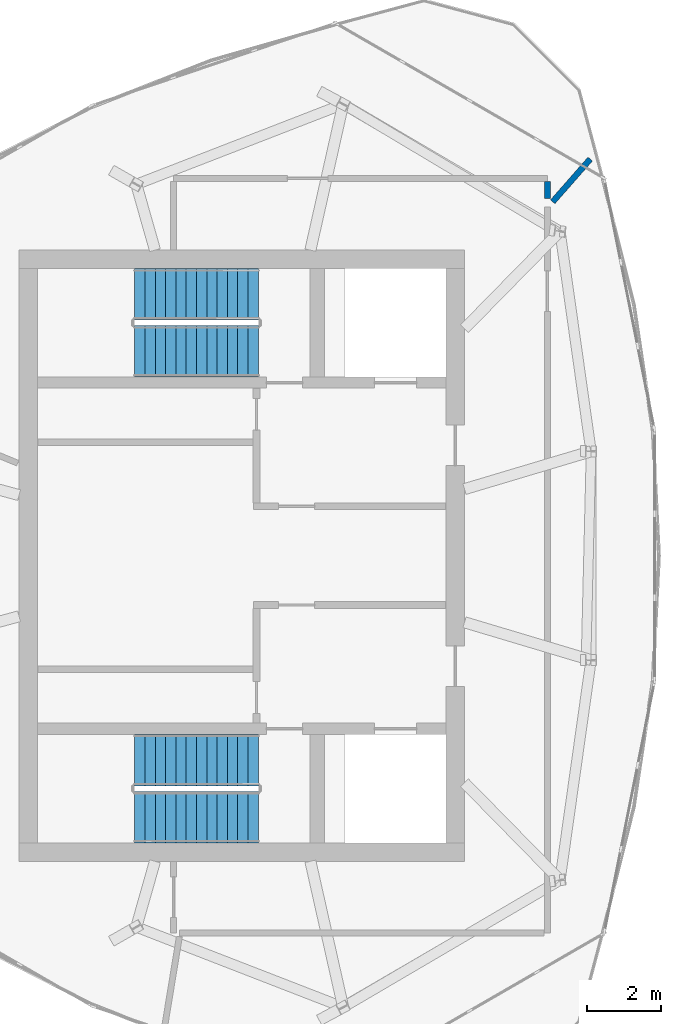
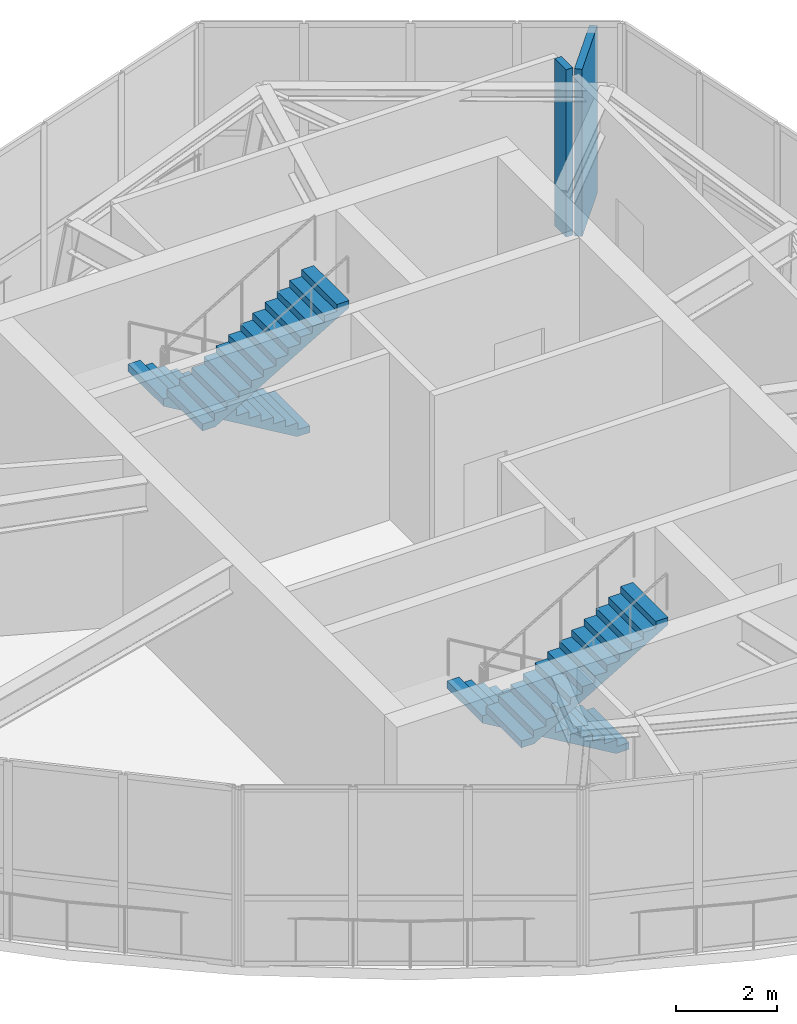
# One storey, part 8 of 10: 4 stair flights, 2 walls, 2 elements without a shape of their own.
"""IFC4 building model written with IfcOpenShell, lengths in metres."""

import ifcopenshell
import ifcopenshell.guid

model = None  # the IFC model being written
_history = None  # IfcOwnerHistory: only IFC2X3 demands one
_inside = {}  # id of a spatial element -> (the spatial element, [elements in it])
_under = {}  # id of a project, library or spatial element -> (it, [spatial elements below it])
_declared = {}  # id of a project -> (the project, [libraries it declares])
_typed = {}  # id of a type object -> (the type object, [elements of that type])
_made_of = {}  # id of a material, layer set ... -> (it, [elements and type objects made of it])


def new_model(schema):
    """Start an empty IFC model of exactly this schema.

    Asked for "IFC4X3", IfcOpenShell would pick the latest addendum, in which some entities
    have other attributes; the version numbers below select the first issue.
    IFC2X3 requires an IfcOwnerHistory on every rooted entity: one is made here for all.
    """
    global model, _history
    if schema == "IFC4X3":
        model = ifcopenshell.file(schema_version=(4, 3, 0, 0))
    else:
        model = ifcopenshell.file(schema=schema)
    _inside.clear()
    _under.clear()
    _declared.clear()
    _typed.clear()
    _made_of.clear()
    _history = None
    if model.schema == "IFC2X3":
        org = make("IfcOrganization", Name="unknown")
        user = make(
            "IfcPersonAndOrganization",
            ThePerson=make("IfcPerson", FamilyName="unknown"),
            TheOrganization=org,
        )
        app = make(
            "IfcApplication",
            ApplicationDeveloper=org,
            Version="unknown",
            ApplicationFullName="unknown",
            ApplicationIdentifier="unknown",
        )
        _history = make(
            "IfcOwnerHistory",
            OwningUser=user,
            OwningApplication=app,
            ChangeAction="ADDED",
            CreationDate=0,
        )
    return model


def make(cls, **values):
    """One entity of the class cls with the attributes given. An attribute that is None is left unset."""
    return model.create_entity(
        cls, **{name: value for name, value in values.items() if value is not None}
    )


def rooted(cls, **values):
    """An entity with a GlobalId (a new one), such as an element, a storey or a relation."""
    return make(cls, GlobalId=ifcopenshell.guid.new(), OwnerHistory=_history, **values)


def si_unit(unit_type, name, prefix=None):
    """IfcSIUnit, for example si_unit("LENGTHUNIT", "METRE", prefix="MILLI")."""
    return make("IfcSIUnit", UnitType=unit_type, Prefix=prefix, Name=name)


def assignment(units):
    """IfcUnitAssignment: the units of a project."""
    return None if units is None else make("IfcUnitAssignment", Units=units)


def point(xyz):
    """IfcCartesianPoint."""
    return None if xyz is None else make("IfcCartesianPoint", Coordinates=xyz)


def direction(xyz):
    """IfcDirection."""
    return None if xyz is None else make("IfcDirection", DirectionRatios=xyz)


def frame(location, z_axis=None, x_axis=None):
    """IfcAxis2Placement3D, a coordinate frame: its origin and axes. An axis left out is left unset."""
    return make(
        "IfcAxis2Placement3D",
        Location=point(location),
        Axis=direction(z_axis),
        RefDirection=direction(x_axis),
    )


def frame_2d(location, x_axis=None):
    """IfcAxis2Placement2D, a coordinate frame in the plane: its origin and x axis."""
    return make(
        "IfcAxis2Placement2D", Location=point(location), RefDirection=direction(x_axis)
    )


def origin():
    """The frame at (0, 0, 0) with its axes left unset."""
    return frame((0.0, 0.0, 0.0))


def place(relative_to, where):
    """IfcLocalPlacement: puts the frame where relative to a parent placement (None: the world)."""
    return make(
        "IfcLocalPlacement", PlacementRelTo=relative_to, RelativePlacement=where
    )


def context(
    kind, dimensions, precision=None, world=None, true_north=None, identifier=None
):
    """IfcGeometricRepresentationContext, for example the 3D "Model" context."""
    return make(
        "IfcGeometricRepresentationContext",
        ContextIdentifier=identifier,
        ContextType=kind,
        CoordinateSpaceDimension=dimensions,
        Precision=precision,
        WorldCoordinateSystem=world,
        TrueNorth=true_north,
    )


def subcontext(parent, identifier, kind, view, scale=None):
    """IfcGeometricRepresentationSubContext, for example "Body" below "Model"."""
    return make(
        "IfcGeometricRepresentationSubContext",
        ContextIdentifier=identifier,
        ContextType=kind,
        ParentContext=parent,
        TargetScale=scale,
        TargetView=view,
    )


def project(units=None, contexts=None):
    """IfcProject with its units and contexts."""
    return rooted(
        "IfcProject",
        Name="project",
        RepresentationContexts=contexts,
        UnitsInContext=assignment(units),
    )


def spatial(cls, under=None, at=None, **own):
    """A site, building, storey or space (cls), placed at a placement, below another one or the project."""
    s = rooted(cls, ObjectPlacement=at, **own)
    if under is not None:
        _under.setdefault(under.id(), (under, []))[1].append(s)
    return s


def polyline(points):
    """IfcPolyline through the points."""
    return make("IfcPolyline", Points=[point(p) for p in points])


def profile(cls, at=None, kind="AREA", **sizes):
    """A parametric profile (cls). Its sizes go by their IFC names, for example OverallWidth=200.0."""
    return make(cls, ProfileType=kind, Position=at, **sizes)


def rectangle(**sizes):
    """IfcRectangleProfileDef."""
    return profile("IfcRectangleProfileDef", **sizes)


def outline(outer, holes=None, kind="AREA"):
    """IfcArbitraryClosedProfileDef: a profile drawn as a closed curve; with holes, ...WithVoids."""
    if holes is None:
        return make("IfcArbitraryClosedProfileDef", ProfileType=kind, OuterCurve=outer)
    return make(
        "IfcArbitraryProfileDefWithVoids",
        ProfileType=kind,
        OuterCurve=outer,
        InnerCurves=holes,
    )


def extrude(swept, where, along, depth):
    """IfcExtrudedAreaSolid: the profile swept, set in the frame where, extruded along a direction by depth."""
    return make(
        "IfcExtrudedAreaSolid",
        SweptArea=swept,
        Position=where,
        ExtrudedDirection=direction(along),
        Depth=depth,
    )


def shape(context_of_items, identifier, shape_type, items):
    """IfcShapeRepresentation: the items that make up one representation, for example the "Body"."""
    return make(
        "IfcShapeRepresentation",
        ContextOfItems=context_of_items,
        RepresentationIdentifier=identifier,
        RepresentationType=shape_type,
        Items=items,
    )


def source(mapping_origin, context_of_items, identifier, shape_type, items):
    """IfcRepresentationMap: a shape defined once, which mapped items show again and again."""
    return make(
        "IfcRepresentationMap",
        MappingOrigin=mapping_origin,
        MappedRepresentation=shape(context_of_items, identifier, shape_type, items),
    )


def transform(
    local_origin,
    x_axis=None,
    y_axis=None,
    z_axis=None,
    scale=None,
    scale2=None,
    scale3=None,
    uniform=True,
):
    """IfcCartesianTransformationOperator3D, or its non-uniform kind. x_axis, y_axis, z_axis: its Axis1, 2, 3."""
    if uniform:
        return make(
            "IfcCartesianTransformationOperator3D",
            Axis1=direction(x_axis),
            Axis2=direction(y_axis),
            LocalOrigin=point(local_origin),
            Scale=scale,
            Axis3=direction(z_axis),
        )
    return make(
        "IfcCartesianTransformationOperator3DnonUniform",
        Axis1=direction(x_axis),
        Axis2=direction(y_axis),
        LocalOrigin=point(local_origin),
        Scale=scale,
        Axis3=direction(z_axis),
        Scale2=scale2,
        Scale3=scale3,
    )


def mapped(mapping_source, mapping_target):
    """IfcMappedItem: shows the shape of a source again, moved by a transform."""
    return make(
        "IfcMappedItem", MappingSource=mapping_source, MappingTarget=mapping_target
    )


def material(Name=None, Category=None):
    """IfcMaterial."""
    return make("IfcMaterial", Name=Name, Category=Category)


def layer(
    of_material, thickness, ventilated=None, Name=None, Category=None, Priority=None
):
    """IfcMaterialLayer: one layer of a wall or slab, of a material (None: an air gap)."""
    return make(
        "IfcMaterialLayer",
        Material=of_material,
        LayerThickness=thickness,
        IsVentilated=ventilated,
        Name=Name,
        Category=Category,
        Priority=Priority,
    )


def layer_set(layers, Name=None):
    """IfcMaterialLayerSet."""
    return make("IfcMaterialLayerSet", MaterialLayers=layers, LayerSetName=Name)


def made_of(thing, what):
    """Note that an element or type object is made of a material, layer set ...; save() writes the relation."""
    if what is not None:
        _made_of.setdefault(what.id(), (what, []))[1].append(thing)
    return thing


def type_object(cls, material=None, **own):
    """A type object (cls), such as IfcWallType, which elements share."""
    return made_of(rooted(cls, **own), material)


def element(
    cls,
    number,
    at=None,
    inside=None,
    cuts=None,
    type_object=None,
    material=None,
    context=None,
    identifier="Body",
    shape_type=None,
    held_by="IfcProductDefinitionShape",
    body=None,
    shapes=None,
    **own,
):
    """One element of the class cls, such as IfcWall. Its Tag is "e" and its number.

    at: its placement. inside: the storey or other place that contains it. cuts: it is an
    opening in that element (IfcRelVoidsElement). A single representation is given by context,
    identifier, shape_type and body (its items); several are given by shapes. held_by: the class
    of the entity that holds the representations. save() writes the other relations.
    """
    e = rooted(cls, Tag="e%d" % number, ObjectPlacement=at, **own)
    if body is not None:
        shapes = [shape(context, identifier, shape_type, body)]
    if shapes is not None:
        e.Representation = make(held_by, Representations=shapes)
    if inside is not None:
        _inside.setdefault(inside.id(), (inside, []))[1].append(e)
    if cuts is not None:
        rooted(
            "IfcRelVoidsElement", RelatingBuildingElement=cuts, RelatedOpeningElement=e
        )
    if type_object is not None:
        _typed.setdefault(type_object.id(), (type_object, []))[1].append(e)
    return made_of(e, material)


def aggregate(whole, parts):
    """IfcRelAggregates: a whole, such as a stair, and the parts it consists of."""
    return rooted("IfcRelAggregates", RelatingObject=whole, RelatedObjects=parts)


def save(model, path):
    """Write the relations noted so far, then the file.

    IfcRelAggregates (storeys below a building ...), IfcRelContainedInSpatialStructure (elements
    in a storey), IfcRelDefinesByType, IfcRelAssociatesMaterial and IfcRelDeclares: one each for
    every whole, place, type object, material and project.
    """
    for whole, parts in _under.values():
        aggregate(whole, parts)
    for where, things in _inside.values():
        rooted(
            "IfcRelContainedInSpatialStructure",
            RelatedElements=things,
            RelatingStructure=where,
        )
    for kind, things in _typed.values():
        rooted("IfcRelDefinesByType", RelatedObjects=things, RelatingType=kind)
    for what, things in _made_of.values():
        rooted("IfcRelAssociatesMaterial", RelatedObjects=things, RelatingMaterial=what)
    for by, libraries in _declared.values():
        rooted("IfcRelDeclares", RelatingContext=by, RelatedDefinitions=libraries)
    model.write(path)


model = new_model("IFC4")

# Units and contexts
model_context = context("Model", 3, precision=1e-05, world=origin(), true_north=direction((0.0, 1.0)))
body_context = subcontext(model_context, "Body", "Model", "MODEL_VIEW")
ifc_project = project(units=[si_unit("LENGTHUNIT", "METRE"), si_unit("AREAUNIT", "SQUARE_METRE"), si_unit("VOLUMEUNIT", "CUBIC_METRE"), si_unit("PLANEANGLEUNIT", "RADIAN"), si_unit("MASSUNIT", "GRAM", prefix="KILO")], contexts=[model_context])

# Site, building, storey
site_placement = place(None, origin())
site = spatial("IfcSite", under=ifc_project, at=site_placement, CompositionType="ELEMENT")
building_placement = place(site_placement, origin())
building = spatial("IfcBuilding", under=site, at=building_placement, Name="Qafzar Sky-Pleat Residences", CompositionType="ELEMENT")
storey_placement = place(building_placement, frame((0.0, 0.0, 261.800048828125)))
storey = spatial("IfcBuildingStorey", under=building, at=storey_placement, Name="L78 Crown", CompositionType="ELEMENT", Elevation=261.800048828125)

# Walls
ifc_material_1 = material(Name="Acoustic gypsum plasterboard partition", Category="gypsum")
ifc_layer = layer(ifc_material_1, 0.159912109375)
ifc_layer_set = layer_set([ifc_layer], Name="Acoustic gypsum plasterboard partition")
wall_type = type_object("IfcWallType", Name="PART-COR-160", PredefinedType="PARTITIONING", material=ifc_layer_set)
wall_1_placement = place(storey_placement, frame((38.79541015625, 35.613525390625, 0.0), z_axis=(0.0, 0.0, 1.0), x_axis=(0.65984690388, 0.751400068832, 0.0)))
element("IfcWall", 1, at=wall_1_placement, inside=storey, type_object=wall_type, Name="L78 Crown Partition Wall PART-L78_Crown-PW-008", PredefinedType="PARTITIONING", context=body_context, shape_type="SweptSolid", body=[
    extrude(rectangle(XDim=1.5439453125, YDim=0.159912109375, at=frame_2d((0.77197265625, 0.0))), origin(), (0.0, 0.0, 1.0), 4.050048828125),
])
wall_2_placement = place(storey_placement, frame((38.64990234375, 35.706298828125, 0.0), z_axis=(0.0, 0.0, 1.0), x_axis=(0.0, 1.0, 0.0)))
element("IfcWall", 2, at=wall_2_placement, inside=storey, type_object=wall_type, Name="L78 Crown Partition Wall PART-L78_Crown-PW-009", PredefinedType="PARTITIONING", context=body_context, shape_type="SweptSolid", body=[
    extrude(rectangle(XDim=0.455810546875, YDim=0.159912109375, at=frame_2d((0.22802734375, 0.0))), origin(), (0.0, 0.0, 1.0), 4.050048828125),
])

# Stair, stair flights
ifc_material_2 = material(Name="Concrete C40/50", Category="concrete")
stair_type = type_object("IfcStairType", Name="STAIR-H430", PredefinedType="HALF_TURN_STAIR", material=ifc_material_2)
stair_1_placement = place(storey_placement, origin())
stair_1 = element("IfcStair", 3, at=stair_1_placement, inside=storey, type_object=stair_type, Name="L78 Crown Protected Exit Stair ST1", PredefinedType="HALF_TURN_STAIR")
stair_flight_type = type_object("IfcStairFlightType", Name="FLIGHT-H430", PredefinedType="STRAIGHT", material=ifc_material_2)
shared_shape = source(origin(), body_context, "Body", "SweptSolid", [
    extrude(outline(polyline([(0.0, 0.0), (0.0, 0.165283203125), (0.280029296875, 0.165283203125), (0.280029296875, 0.330810546875), (0.56005859375, 0.330810546875), (0.56005859375, 0.49609375), (0.840087890625, 0.49609375), (0.840087890625, 0.66162109375), (1.1201171875, 0.66162109375), (1.1201171875, 0.826904296875), (1.39990234375, 0.826904296875), (1.39990234375, 0.9921875), (1.679931640625, 0.9921875), (1.679931640625, 1.15771484375), (1.9599609375, 1.15771484375), (1.9599609375, 1.322998046875), (2.239990234375, 1.322998046875), (2.239990234375, 1.488525390625), (2.52001953125, 1.488525390625), (2.52001953125, 1.65380859375), (2.800048828125, 1.65380859375), (2.800048828125, 1.8193359375), (3.080078125, 1.8193359375), (3.080078125, 1.984619140625), (3.360107421875, 1.984619140625), (3.360107421875, 2.14990234375), (3.360107421875, 1.810546875), (0.294677734375, 0.0), (0.0, 0.0)])), frame((0.0, 0.699951171875, 0.0), z_axis=(0.0, -1.0, 0.0), x_axis=(1.0, 0.0, 0.0)), (0.0, 0.0, 1.0), 1.39990234375),
])
stair_flight_1_placement = place(storey_placement, frame((30.800048828125, 20.449951171875, 0.0), z_axis=(0.0, 0.0, 1.0), x_axis=(-1.0, 0.0, 0.0)))
stair_flight_1 = element("IfcStairFlight", 4, at=stair_flight_1_placement, type_object=stair_flight_type, Name="ST1 flight 1", NumberOfRisers=13, NumberOfTreads=12, PredefinedType="STRAIGHT", RiserHeight=0.165384615, TreadLength=0.28, context=body_context, shape_type="MappedRepresentation", body=[
    mapped(shared_shape, transform((0.0, 0.0, 0.0), x_axis=(1.0, 0.0, 0.0), y_axis=(0.0, 1.0, 0.0), z_axis=(0.0, 0.0, 1.0), scale=1.0)),
])
stair_flight_2_placement = place(storey_placement, frame((27.43994140625, 18.89990234375, 2.14990234375), z_axis=(0.0, 0.0, 1.0), x_axis=(1.0, 0.0, 0.0)))
stair_flight_2 = element("IfcStairFlight", 5, at=stair_flight_2_placement, type_object=stair_flight_type, Name="ST1 flight 2", NumberOfRisers=13, NumberOfTreads=12, PredefinedType="STRAIGHT", RiserHeight=0.165384615, TreadLength=0.28, context=body_context, shape_type="MappedRepresentation", body=[
    mapped(shared_shape, transform((0.0, 0.0, 0.0), x_axis=(1.0, 0.0, 0.0), y_axis=(0.0, 1.0, 0.0), z_axis=(0.0, 0.0, 1.0), scale=1.0)),
])
aggregate(stair_1, [stair_flight_1, stair_flight_2])

stair_2_placement = place(storey_placement, origin())
stair_2 = element("IfcStair", 6, at=stair_2_placement, inside=storey, type_object=stair_type, Name="L78 Crown Protected Exit Stair ST2", PredefinedType="HALF_TURN_STAIR")
stair_flight_3_placement = place(storey_placement, frame((30.800048828125, 33.10009765625, 0.0), z_axis=(0.0, 0.0, 1.0), x_axis=(-1.0, 0.0, 0.0)))
stair_flight_3 = element("IfcStairFlight", 7, at=stair_flight_3_placement, type_object=stair_flight_type, Name="ST2 flight 1", NumberOfRisers=13, NumberOfTreads=12, PredefinedType="STRAIGHT", RiserHeight=0.165384615, TreadLength=0.28, context=body_context, shape_type="MappedRepresentation", body=[
    mapped(shared_shape, transform((0.0, 0.0, 0.0), x_axis=(1.0, 0.0, 0.0), y_axis=(0.0, 1.0, 0.0), z_axis=(0.0, 0.0, 1.0), scale=1.0)),
])
stair_flight_4_placement = place(storey_placement, frame((27.43994140625, 31.550048828125, 2.14990234375), z_axis=(0.0, 0.0, 1.0), x_axis=(1.0, 0.0, 0.0)))
stair_flight_4 = element("IfcStairFlight", 8, at=stair_flight_4_placement, type_object=stair_flight_type, Name="ST2 flight 2", NumberOfRisers=13, NumberOfTreads=12, PredefinedType="STRAIGHT", RiserHeight=0.165384615, TreadLength=0.28, context=body_context, shape_type="MappedRepresentation", body=[
    mapped(shared_shape, transform((0.0, 0.0, 0.0), x_axis=(1.0, 0.0, 0.0), y_axis=(0.0, 1.0, 0.0), z_axis=(0.0, 0.0, 1.0), scale=1.0)),
])
aggregate(stair_2, [stair_flight_3, stair_flight_4])

save(model, "model.ifc")
